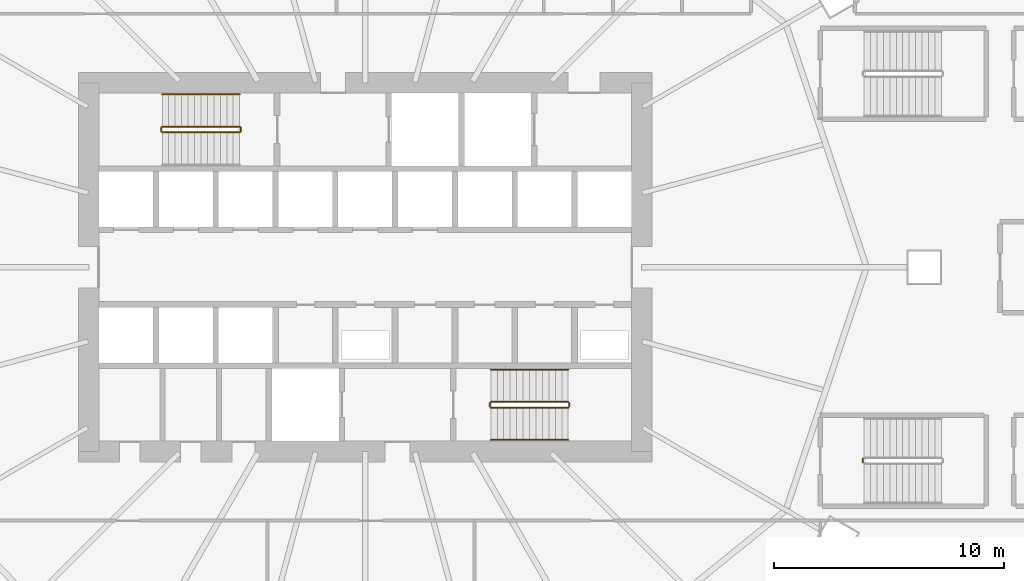
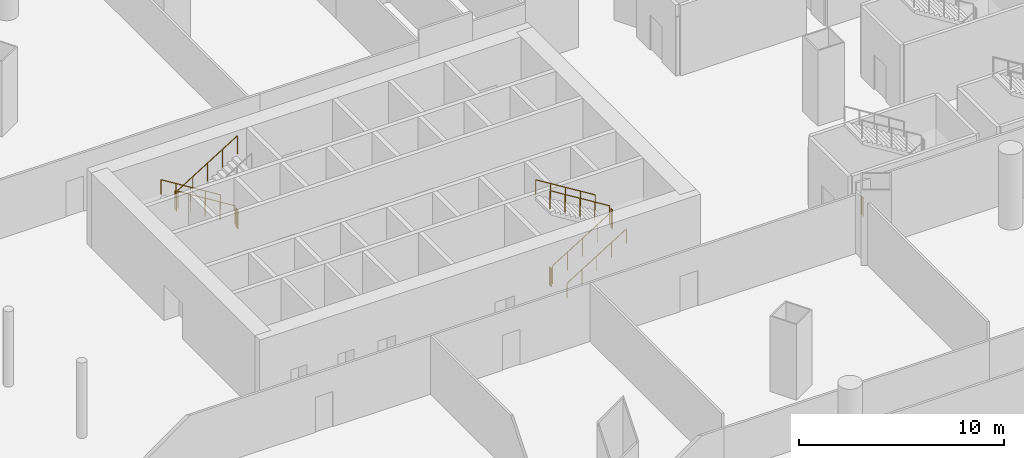
# One storey, part 37 of 43: 12 railings.
"""IFC4 building model written with IfcOpenShell, lengths in metres."""

from ifc_helpers import new_model, si_unit, direction, frame, origin, origin_2d, place, context, subcontext, project, spatial, circle, extrude, material, type_object, element, save


model = new_model("IFC4")

# Units and contexts
model_context = context("Model", 3, precision=1e-05, world=origin(), true_north=direction((0.0, 1.0)))
body_context = subcontext(model_context, "Body", "Model", "MODEL_VIEW")
ifc_project = project(units=[si_unit("LENGTHUNIT", "METRE"), si_unit("AREAUNIT", "SQUARE_METRE"), si_unit("VOLUMEUNIT", "CUBIC_METRE"), si_unit("PLANEANGLEUNIT", "RADIAN"), si_unit("MASSUNIT", "GRAM", prefix="KILO")], contexts=[model_context])

# Site, building, storey
site_placement = place(None, origin())
site = spatial("IfcSite", under=ifc_project, at=site_placement, CompositionType="ELEMENT")
building_placement = place(site_placement, origin())
building = spatial("IfcBuilding", under=site, at=building_placement, Name="Rimbun Link Towers", CompositionType="ELEMENT")
storey_placement = place(building_placement, frame((0.0, 0.0, 12.0)))
storey = spatial("IfcBuildingStorey", under=building, at=storey_placement, Name="L02", CompositionType="ELEMENT", Elevation=12.0)

# Railings
ifc_material_1 = material(Name="Stainless steel grade 316", Category="steel")
railing_type_1 = type_object("IfcRailingType", Name="Stair guard", PredefinedType="GUARDRAIL", material=ifc_material_1)
railing_1_placement = place(storey_placement, frame((-37.199951171875, 6.10009765625, 0.173095703125)))
element("IfcRailing", 1, at=railing_1_placement, inside=storey, type_object=railing_type_1, Name="L02 ST1 stair guard 1", PredefinedType="GUARDRAIL", context=body_context, shape_type="SweptSolid", body=[
    extrude(circle(Radius=0.02392578125, at=origin_2d()), frame((0.0, 0.0, 1.076171875), z_axis=(-0.850623216509, 0.0, 0.525775754039), x_axis=(0.0, -1.0, 0.0)), (0.0, 0.0, 1.0), 3.9501953125),
    extrude(circle(Radius=0.02099609375, at=origin_2d()), origin(), (0.0, 0.0, 1.0), 1.052001953125),
    extrude(circle(Radius=0.02099609375, at=origin_2d()), frame((-0.840087890625, 0.0, 0.519287109375)), (0.0, 0.0, 1.0), 1.052001953125),
    extrude(circle(Radius=0.02099609375, at=origin_2d()), frame((-1.68017578125, 0.0, 1.03857421875)), (0.0, 0.0, 1.0), 1.052001953125),
    extrude(circle(Radius=0.02099609375, at=origin_2d()), frame((-2.52001953125, 0.0, 1.5576171875)), (0.0, 0.0, 1.0), 1.052001953125),
    extrude(circle(Radius=0.02099609375, at=origin_2d()), frame((-3.360107421875, 0.0, 2.076904296875)), (0.0, 0.0, 1.0), 1.052001953125),
])
railing_2_placement = place(storey_placement, frame((-40.610107421875, 6.050048828125, 2.25)))
element("IfcRailing", 2, at=railing_2_placement, inside=storey, type_object=railing_type_1, Name="L02 ST1 stair guard 2", PredefinedType="GUARDRAIL", context=body_context, shape_type="SweptSolid", body=[
    extrude(circle(Radius=0.02392578125, at=origin_2d()), frame((0.0, 0.0, 1.076171875), z_axis=(0.0, -1.0, 0.0), x_axis=(1.0, 0.0, 0.0)), (0.0, 0.0, 1.0), 0.150146484375),
    extrude(circle(Radius=0.02099609375, at=origin_2d()), origin(), (0.0, 0.0, 1.0), 1.052001953125),
    extrude(circle(Radius=0.02099609375, at=origin_2d()), frame((0.0, -0.150146484375, 0.0)), (0.0, 0.0, 1.0), 1.052001953125),
])
railing_3_placement = place(storey_placement, frame((-40.56005859375, 5.85009765625, 2.423095703125)))
element("IfcRailing", 3, at=railing_3_placement, inside=storey, type_object=railing_type_1, Name="L02 ST1 stair guard 3", PredefinedType="GUARDRAIL", context=body_context, shape_type="SweptSolid", body=[
    extrude(circle(Radius=0.02392578125, at=origin_2d()), frame((0.0, 0.0, 1.076171875), z_axis=(0.850623216509, 0.0, 0.525775754039), x_axis=(0.0, 1.0, 0.0)), (0.0, 0.0, 1.0), 3.9501953125),
    extrude(circle(Radius=0.02099609375, at=origin_2d()), origin(), (0.0, 0.0, 1.0), 1.052001953125),
    extrude(circle(Radius=0.02099609375, at=origin_2d()), frame((0.840087890625, 0.0, 0.519287109375)), (0.0, 0.0, 1.0), 1.052001953125),
    extrude(circle(Radius=0.02099609375, at=origin_2d()), frame((1.68017578125, 0.0, 1.03857421875)), (0.0, 0.0, 1.0), 1.052001953125),
    extrude(circle(Radius=0.02099609375, at=origin_2d()), frame((2.52001953125, 0.0, 1.5576171875)), (0.0, 0.0, 1.0), 1.052001953125),
    extrude(circle(Radius=0.02099609375, at=origin_2d()), frame((3.360107421875, 0.0, 2.076904296875)), (0.0, 0.0, 1.0), 1.052001953125),
])
railing_4_placement = place(storey_placement, frame((-37.14990234375, 6.050048828125, 0.0)))
element("IfcRailing", 4, at=railing_4_placement, inside=storey, type_object=railing_type_1, Name="L02 ST1 stair guard 4", PredefinedType="GUARDRAIL", context=body_context, shape_type="SweptSolid", body=[
    extrude(circle(Radius=0.02392578125, at=origin_2d()), frame((0.0, 0.0, 1.076171875), z_axis=(0.0, -1.0, 0.0), x_axis=(1.0, 0.0, 0.0)), (0.0, 0.0, 1.0), 0.150146484375),
    extrude(circle(Radius=0.02099609375, at=origin_2d()), origin(), (0.0, 0.0, 1.0), 1.052001953125),
    extrude(circle(Radius=0.02099609375, at=origin_2d()), frame((0.0, -0.150146484375, 0.0)), (0.0, 0.0, 1.0), 1.052001953125),
])
railing_5_placement = place(storey_placement, frame((-26.300048828125, -6.10009765625, 0.173095703125)))
element("IfcRailing", 5, at=railing_5_placement, inside=storey, type_object=railing_type_1, Name="L02 ST2 stair guard 1", PredefinedType="GUARDRAIL", context=body_context, shape_type="SweptSolid", body=[
    extrude(circle(Radius=0.02392578125, at=origin_2d()), frame((0.0, 0.0, 1.076171875), z_axis=(0.850623216509, 0.0, 0.525775754039), x_axis=(0.0, 1.0, 0.0)), (0.0, 0.0, 1.0), 3.9501953125),
    extrude(circle(Radius=0.02099609375, at=origin_2d()), origin(), (0.0, 0.0, 1.0), 1.052001953125),
    extrude(circle(Radius=0.02099609375, at=origin_2d()), frame((0.840087890625, 0.0, 0.519287109375)), (0.0, 0.0, 1.0), 1.052001953125),
    extrude(circle(Radius=0.02099609375, at=origin_2d()), frame((1.68017578125, 0.0, 1.03857421875)), (0.0, 0.0, 1.0), 1.052001953125),
    extrude(circle(Radius=0.02099609375, at=origin_2d()), frame((2.52001953125, 0.0, 1.5576171875)), (0.0, 0.0, 1.0), 1.052001953125),
    extrude(circle(Radius=0.02099609375, at=origin_2d()), frame((3.360107421875, 0.0, 2.076904296875)), (0.0, 0.0, 1.0), 1.052001953125),
])
railing_6_placement = place(storey_placement, frame((-22.889892578125, -6.050048828125, 2.25)))
element("IfcRailing", 6, at=railing_6_placement, inside=storey, type_object=railing_type_1, Name="L02 ST2 stair guard 2", PredefinedType="GUARDRAIL", context=body_context, shape_type="SweptSolid", body=[
    extrude(circle(Radius=0.02392578125, at=origin_2d()), frame((0.0, 0.0, 1.076171875), z_axis=(0.0, 1.0, 0.0), x_axis=(-1.0, 0.0, 0.0)), (0.0, 0.0, 1.0), 0.150146484375),
    extrude(circle(Radius=0.02099609375, at=origin_2d()), origin(), (0.0, 0.0, 1.0), 1.052001953125),
    extrude(circle(Radius=0.02099609375, at=origin_2d()), frame((0.0, 0.150146484375, 0.0)), (0.0, 0.0, 1.0), 1.052001953125),
])
railing_7_placement = place(storey_placement, frame((-22.93994140625, -5.85009765625, 2.423095703125)))
element("IfcRailing", 7, at=railing_7_placement, inside=storey, type_object=railing_type_1, Name="L02 ST2 stair guard 3", PredefinedType="GUARDRAIL", context=body_context, shape_type="SweptSolid", body=[
    extrude(circle(Radius=0.02392578125, at=origin_2d()), frame((0.0, 0.0, 1.076171875), z_axis=(-0.850623216509, 0.0, 0.525775754039), x_axis=(0.0, -1.0, 0.0)), (0.0, 0.0, 1.0), 3.9501953125),
    extrude(circle(Radius=0.02099609375, at=origin_2d()), origin(), (0.0, 0.0, 1.0), 1.052001953125),
    extrude(circle(Radius=0.02099609375, at=origin_2d()), frame((-0.840087890625, 0.0, 0.519287109375)), (0.0, 0.0, 1.0), 1.052001953125),
    extrude(circle(Radius=0.02099609375, at=origin_2d()), frame((-1.68017578125, 0.0, 1.03857421875)), (0.0, 0.0, 1.0), 1.052001953125),
    extrude(circle(Radius=0.02099609375, at=origin_2d()), frame((-2.52001953125, 0.0, 1.5576171875)), (0.0, 0.0, 1.0), 1.052001953125),
    extrude(circle(Radius=0.02099609375, at=origin_2d()), frame((-3.360107421875, 0.0, 2.076904296875)), (0.0, 0.0, 1.0), 1.052001953125),
])
for number, where, name in (
    (8, (-26.35009765625, -6.050048828125, 0.0), "L02 ST2 stair guard 4"),
    (9, (-10.14990234375, -8.47509765625, 0.0), "L02 PS1 stair guard 4"),
):
    element("IfcRailing", number, at=place(storey_placement, frame(where)), inside=storey, type_object=railing_type_1, Name=name, PredefinedType="GUARDRAIL", context=body_context, shape_type="SweptSolid", body=[
        extrude(circle(Radius=0.02392578125, at=origin_2d()), frame((0.0, 0.0, 1.076171875), z_axis=(0.0, 1.0, 0.0), x_axis=(-1.0, 0.0, 0.0)), (0.0, 0.0, 1.0), 0.150146484375),
        extrude(circle(Radius=0.02099609375, at=origin_2d()), origin(), (0.0, 0.0, 1.0), 1.052001953125),
        extrude(circle(Radius=0.02099609375, at=origin_2d()), frame((0.0, 0.150146484375, 0.0)), (0.0, 0.0, 1.0), 1.052001953125),
    ])
ifc_material_2 = material(Name="Stainless steel grade 316", Category="steel")
railing_type_2 = type_object("IfcRailingType", Name="Stair handrail", PredefinedType="HANDRAIL", material=ifc_material_2)
railing_8_placement = place(storey_placement, frame((-37.199951171875, 7.5, 0.173095703125)))
element("IfcRailing", 10, at=railing_8_placement, inside=storey, type_object=railing_type_2, Name="L02 ST1 stair handrail 1", PredefinedType="HANDRAIL", context=body_context, shape_type="SweptSolid", body=[
    extrude(circle(Radius=0.02392578125, at=origin_2d()), frame((0.0, 0.0, 0.8759765625), z_axis=(-0.850623216509, 0.0, 0.525775754039), x_axis=(0.0, -1.0, 0.0)), (0.0, 0.0, 1.0), 3.9501953125),
    extrude(circle(Radius=0.02099609375, at=origin_2d()), origin(), (0.0, 0.0, 1.0), 0.851806640625),
    extrude(circle(Radius=0.02099609375, at=origin_2d()), frame((-0.840087890625, 0.0, 0.519287109375)), (0.0, 0.0, 1.0), 0.851806640625),
    extrude(circle(Radius=0.02099609375, at=origin_2d()), frame((-1.68017578125, 0.0, 1.03857421875)), (0.0, 0.0, 1.0), 0.851806640625),
    extrude(circle(Radius=0.02099609375, at=origin_2d()), frame((-2.52001953125, 0.0, 1.5576171875)), (0.0, 0.0, 1.0), 0.851806640625),
    extrude(circle(Radius=0.02099609375, at=origin_2d()), frame((-3.360107421875, 0.0, 2.076904296875)), (0.0, 0.0, 1.0), 0.851806640625),
])
railing_9_placement = place(storey_placement, frame((-26.300048828125, -7.5, 0.173095703125)))
element("IfcRailing", 11, at=railing_9_placement, inside=storey, type_object=railing_type_2, Name="L02 ST2 stair handrail 1", PredefinedType="HANDRAIL", context=body_context, shape_type="SweptSolid", body=[
    extrude(circle(Radius=0.02392578125, at=origin_2d()), frame((0.0, 0.0, 0.8759765625), z_axis=(0.850623216509, 0.0, 0.525775754039), x_axis=(0.0, 1.0, 0.0)), (0.0, 0.0, 1.0), 3.9501953125),
    extrude(circle(Radius=0.02099609375, at=origin_2d()), origin(), (0.0, 0.0, 1.0), 0.851806640625),
    extrude(circle(Radius=0.02099609375, at=origin_2d()), frame((0.840087890625, 0.0, 0.519287109375)), (0.0, 0.0, 1.0), 0.851806640625),
    extrude(circle(Radius=0.02099609375, at=origin_2d()), frame((1.68017578125, 0.0, 1.03857421875)), (0.0, 0.0, 1.0), 0.851806640625),
    extrude(circle(Radius=0.02099609375, at=origin_2d()), frame((2.52001953125, 0.0, 1.5576171875)), (0.0, 0.0, 1.0), 0.851806640625),
    extrude(circle(Radius=0.02099609375, at=origin_2d()), frame((3.360107421875, 0.0, 2.076904296875)), (0.0, 0.0, 1.0), 0.851806640625),
])
railing_10_placement = place(storey_placement, frame((-22.93994140625, -4.449951171875, 2.423095703125)))
element("IfcRailing", 12, at=railing_10_placement, inside=storey, type_object=railing_type_2, Name="L02 ST2 stair handrail 2", PredefinedType="HANDRAIL", context=body_context, shape_type="SweptSolid", body=[
    extrude(circle(Radius=0.02392578125, at=origin_2d()), frame((0.0, 0.0, 0.8759765625), z_axis=(-0.850623216509, 0.0, 0.525775754039), x_axis=(0.0, -1.0, 0.0)), (0.0, 0.0, 1.0), 3.9501953125),
    extrude(circle(Radius=0.02099609375, at=origin_2d()), origin(), (0.0, 0.0, 1.0), 0.851806640625),
    extrude(circle(Radius=0.02099609375, at=origin_2d()), frame((-0.840087890625, 0.0, 0.519287109375)), (0.0, 0.0, 1.0), 0.851806640625),
    extrude(circle(Radius=0.02099609375, at=origin_2d()), frame((-1.68017578125, 0.0, 1.03857421875)), (0.0, 0.0, 1.0), 0.851806640625),
    extrude(circle(Radius=0.02099609375, at=origin_2d()), frame((-2.52001953125, 0.0, 1.5576171875)), (0.0, 0.0, 1.0), 0.851806640625),
    extrude(circle(Radius=0.02099609375, at=origin_2d()), frame((-3.360107421875, 0.0, 2.076904296875)), (0.0, 0.0, 1.0), 0.851806640625),
])

save(model, "model.ifc")
